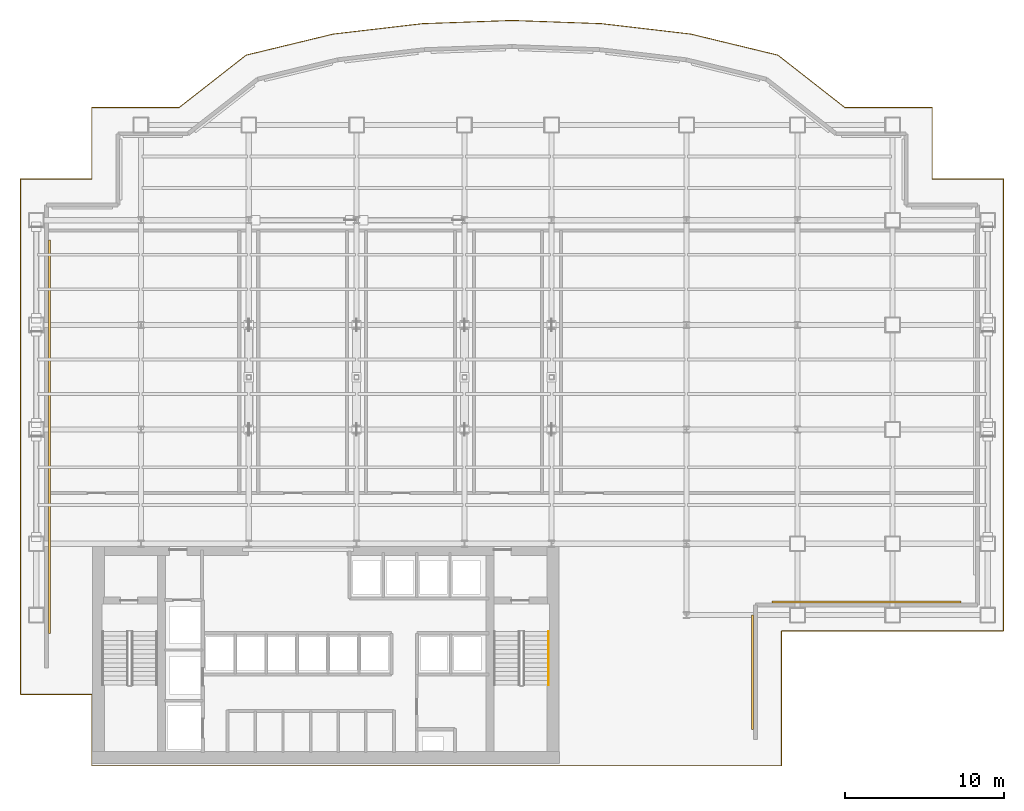
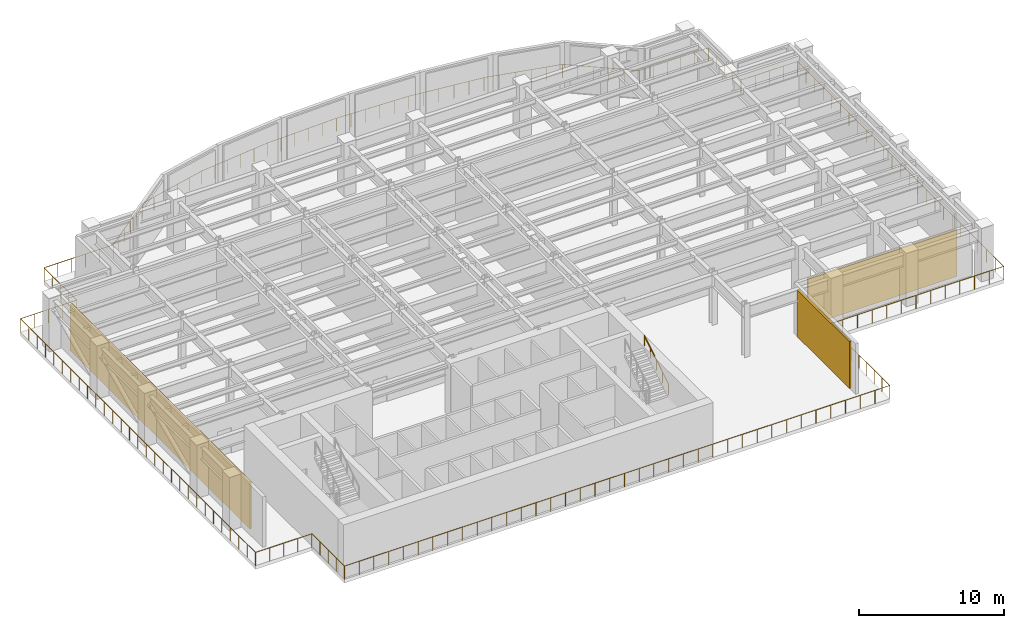
# One storey, part 13 of 14: 3 shading devices, 2 railings.
"""IFC4 building model written with IfcOpenShell, lengths in metres."""

from ifc_helpers import new_model, si_unit, derived_unit, direction, frame, origin, origin_2d, place, context, subcontext, project, spatial, rectangle, circle, extrude, source, transform, mapped, material, type_object, element, save


model = new_model("IFC4")

# Units and contexts
model_context = context("Model", 3, precision=1e-05, world=origin(), true_north=direction((0.0, 1.0)))
body_context = subcontext(model_context, "Body", "Model", "MODEL_VIEW")
ifc_project = project(units=[si_unit("LENGTHUNIT", "METRE"), si_unit("AREAUNIT", "SQUARE_METRE"), si_unit("VOLUMEUNIT", "CUBIC_METRE"), si_unit("PLANEANGLEUNIT", "RADIAN"), si_unit("MASSUNIT", "GRAM", prefix="KILO"), derived_unit("THERMALTRANSMITTANCEUNIT", [(si_unit("POWERUNIT", "WATT"), 1), (si_unit("LENGTHUNIT", "METRE"), -2), (si_unit("THERMODYNAMICTEMPERATUREUNIT", "KELVIN"), -1)])], contexts=[model_context])

# Site, building, storey
site_placement = place(None, origin())
site = spatial("IfcSite", under=ifc_project, at=site_placement, CompositionType="ELEMENT")
building_placement = place(site_placement, origin())
building = spatial("IfcBuilding", under=site, at=building_placement, Name="Skarnbrae Concourse Arena and Tower", CompositionType="ELEMENT")
storey_placement = place(building_placement, frame((0.0, 0.0, 84.14990234375)))
storey = spatial("IfcBuildingStorey", under=building, at=storey_placement, Name="L20", CompositionType="ELEMENT", Elevation=84.14990234375)

# Railings
ifc_material_1 = material(Name="Steel CSA G40.21 350W", Category="steel")
railing_type_1 = type_object("IfcRailingType", Name="RAIL-GUARD-1150", PredefinedType="GUARDRAIL", material=ifc_material_1)
railing_1_placement = place(storey_placement, frame((4.5, 0.0, 0.0)))
element("IfcRailing", 1, at=railing_1_placement, inside=storey, type_object=railing_type_1, Name="L20 Open refuge band perimeter guardrail", PredefinedType="GUARDRAIL", context=body_context, shape_type="SweptSolid", body=[
    extrude(circle(Radius=0.02392578125, at=origin_2d()), frame((0.0, 0.0, 1.1259765625), z_axis=(1.0, 0.0, 0.0), x_axis=(0.0, 1.0, 0.0)), (0.0, 0.0, 1.0), 43.5),
    extrude(circle(Radius=0.02392578125, at=origin_2d()), frame((43.5, 0.0, 1.1259765625), z_axis=(0.0, 1.0, 0.0), x_axis=(-1.0, 0.0, 0.0)), (0.0, 0.0, 1.0), 8.5),
    extrude(circle(Radius=0.02392578125, at=origin_2d()), frame((43.5, 8.5, 1.1259765625), z_axis=(1.0, 0.0, 0.0), x_axis=(0.0, 1.0, 0.0)), (0.0, 0.0, 1.0), 14.0),
    extrude(circle(Radius=0.02392578125, at=origin_2d()), frame((57.5, 8.5, 1.1259765625), z_axis=(0.0, 1.0, 0.0), x_axis=(-1.0, 0.0, 0.0)), (0.0, 0.0, 1.0), 28.5),
    extrude(circle(Radius=0.02392578125, at=origin_2d()), frame((57.5, 37.0, 1.1259765625), z_axis=(-1.0, 0.0, 0.0), x_axis=(0.0, -1.0, 0.0)), (0.0, 0.0, 1.0), 4.5),
    extrude(circle(Radius=0.02392578125, at=origin_2d()), frame((53.0, 37.0, 1.1259765625), z_axis=(0.0, 1.0, 0.0), x_axis=(-1.0, 0.0, 0.0)), (0.0, 0.0, 1.0), 4.5),
    extrude(circle(Radius=0.02392578125, at=origin_2d()), frame((53.0, 41.5, 1.1259765625), z_axis=(-1.0, 0.0, 0.0), x_axis=(0.0, -1.0, 0.0)), (0.0, 0.0, 1.0), 5.5),
    extrude(circle(Radius=0.02392578125, at=origin_2d()), frame((47.5, 41.5, 1.1259765625), z_axis=(-0.787642042649, 0.61613311277, 0.0), x_axis=(-0.61613311277, -0.787642042649, 0.0)), (0.0, 0.0, 1.0), 5.375),
    extrude(circle(Radius=0.02392578125, at=origin_2d()), frame((43.266357421875, 44.811767578125, 1.1259765625), z_axis=(-0.971981220844, 0.235058516813, 0.0), x_axis=(-0.235058516813, -0.971981220844, 0.0)), (0.0, 0.0, 1.0), 5.65234375),
    extrude(circle(Radius=0.02392578125, at=origin_2d()), frame((37.7724609375, 46.140380859375, 1.1259765625), z_axis=(-0.993243088612, 0.116052431793, 0.0), x_axis=(-0.116052431793, -0.993243088612, 0.0)), (0.0, 0.0, 1.0), 5.656982421875),
    extrude(circle(Radius=0.02392578125, at=origin_2d()), frame((32.15380859375, 46.796875, 1.1259765625), z_axis=(-0.999355245503, 0.035903945257, 0.0), x_axis=(-0.035903945257, -0.999355245503, 0.0)), (0.0, 0.0, 1.0), 5.657470703125),
    extrude(circle(Radius=0.02392578125, at=origin_2d()), frame((26.5, 47.0, 1.1259765625), z_axis=(-0.999355245503, -0.035903945257, 0.0), x_axis=(0.035903945257, -0.999355245503, 0.0)), (0.0, 0.0, 1.0), 5.657470703125),
    extrude(circle(Radius=0.02392578125, at=origin_2d()), frame((20.84619140625, 46.796875, 1.1259765625), z_axis=(-0.993243088612, -0.116052431793, 0.0), x_axis=(0.116052431793, -0.993243088612, 0.0)), (0.0, 0.0, 1.0), 5.656982421875),
    extrude(circle(Radius=0.02392578125, at=origin_2d()), frame((15.2275390625, 46.140380859375, 1.1259765625), z_axis=(-0.971981220844, -0.235058516813, 0.0), x_axis=(0.235058516813, -0.971981220844, 0.0)), (0.0, 0.0, 1.0), 5.65234375),
    extrude(circle(Radius=0.02392578125, at=origin_2d()), frame((9.733642578125, 44.811767578125, 1.1259765625), z_axis=(-0.787642042649, -0.61613311277, 0.0), x_axis=(0.61613311277, -0.787642042649, 0.0)), (0.0, 0.0, 1.0), 5.375),
    extrude(circle(Radius=0.02392578125, at=origin_2d()), frame((5.5, 41.5, 1.1259765625), z_axis=(-1.0, 0.0, 0.0), x_axis=(0.0, -1.0, 0.0)), (0.0, 0.0, 1.0), 5.5),
    extrude(circle(Radius=0.02392578125, at=origin_2d()), frame((0.0, 41.5, 1.1259765625), z_axis=(0.0, -1.0, 0.0), x_axis=(1.0, 0.0, 0.0)), (0.0, 0.0, 1.0), 4.5),
    extrude(circle(Radius=0.02392578125, at=origin_2d()), frame((0.0, 37.0, 1.1259765625), z_axis=(-1.0, 0.0, 0.0), x_axis=(0.0, -1.0, 0.0)), (0.0, 0.0, 1.0), 4.5),
    extrude(circle(Radius=0.02392578125, at=origin_2d()), frame((-4.5, 37.0, 1.1259765625), z_axis=(0.0, -1.0, 0.0), x_axis=(1.0, 0.0, 0.0)), (0.0, 0.0, 1.0), 32.5),
    extrude(circle(Radius=0.02392578125, at=origin_2d()), frame((-4.5, 4.5, 1.1259765625), z_axis=(1.0, 0.0, 0.0), x_axis=(0.0, 1.0, 0.0)), (0.0, 0.0, 1.0), 4.5),
    extrude(circle(Radius=0.02392578125, at=origin_2d()), frame((0.0, 4.5, 1.1259765625), z_axis=(0.0, -1.0, 0.0), x_axis=(1.0, 0.0, 0.0)), (0.0, 0.0, 1.0), 4.5),
    extrude(circle(Radius=0.02099609375, at=origin_2d()), origin(), (0.0, 0.0, 1.0), 1.101806640625),
    extrude(circle(Radius=0.02099609375, at=origin_2d()), frame((1.17578125, 0.0, 0.0)), (0.0, 0.0, 1.0), 1.101806640625),
    extrude(circle(Radius=0.02099609375, at=origin_2d()), frame((2.351318359375, 0.0, 0.0)), (0.0, 0.0, 1.0), 1.101806640625),
    extrude(circle(Radius=0.02099609375, at=origin_2d()), frame((3.527099609375, 0.0, 0.0)), (0.0, 0.0, 1.0), 1.101806640625),
    extrude(circle(Radius=0.02099609375, at=origin_2d()), frame((4.70263671875, 0.0, 0.0)), (0.0, 0.0, 1.0), 1.101806640625),
    extrude(circle(Radius=0.02099609375, at=origin_2d()), frame((5.87841796875, 0.0, 0.0)), (0.0, 0.0, 1.0), 1.101806640625),
    extrude(circle(Radius=0.02099609375, at=origin_2d()), frame((7.053955078125, 0.0, 0.0)), (0.0, 0.0, 1.0), 1.101806640625),
    extrude(circle(Radius=0.02099609375, at=origin_2d()), frame((8.229736328125, 0.0, 0.0)), (0.0, 0.0, 1.0), 1.101806640625),
    extrude(circle(Radius=0.02099609375, at=origin_2d()), frame((9.405517578125, 0.0, 0.0)), (0.0, 0.0, 1.0), 1.101806640625),
    extrude(circle(Radius=0.02099609375, at=origin_2d()), frame((10.5810546875, 0.0, 0.0)), (0.0, 0.0, 1.0), 1.101806640625),
    extrude(circle(Radius=0.02099609375, at=origin_2d()), frame((11.7568359375, 0.0, 0.0)), (0.0, 0.0, 1.0), 1.101806640625),
    extrude(circle(Radius=0.02099609375, at=origin_2d()), frame((12.932373046875, 0.0, 0.0)), (0.0, 0.0, 1.0), 1.101806640625),
    extrude(circle(Radius=0.02099609375, at=origin_2d()), frame((14.108154296875, 0.0, 0.0)), (0.0, 0.0, 1.0), 1.101806640625),
    extrude(circle(Radius=0.02099609375, at=origin_2d()), frame((15.28369140625, 0.0, 0.0)), (0.0, 0.0, 1.0), 1.101806640625),
    extrude(circle(Radius=0.02099609375, at=origin_2d()), frame((16.45947265625, 0.0, 0.0)), (0.0, 0.0, 1.0), 1.101806640625),
    extrude(circle(Radius=0.02099609375, at=origin_2d()), frame((17.63525390625, 0.0, 0.0)), (0.0, 0.0, 1.0), 1.101806640625),
    extrude(circle(Radius=0.02099609375, at=origin_2d()), frame((18.810791015625, 0.0, 0.0)), (0.0, 0.0, 1.0), 1.101806640625),
    extrude(circle(Radius=0.02099609375, at=origin_2d()), frame((19.986572265625, 0.0, 0.0)), (0.0, 0.0, 1.0), 1.101806640625),
    extrude(circle(Radius=0.02099609375, at=origin_2d()), frame((21.162109375, 0.0, 0.0)), (0.0, 0.0, 1.0), 1.101806640625),
    extrude(circle(Radius=0.02099609375, at=origin_2d()), frame((22.337890625, 0.0, 0.0)), (0.0, 0.0, 1.0), 1.101806640625),
    extrude(circle(Radius=0.02099609375, at=origin_2d()), frame((23.513427734375, 0.0, 0.0)), (0.0, 0.0, 1.0), 1.101806640625),
    extrude(circle(Radius=0.02099609375, at=origin_2d()), frame((24.689208984375, 0.0, 0.0)), (0.0, 0.0, 1.0), 1.101806640625),
    extrude(circle(Radius=0.02099609375, at=origin_2d()), frame((25.86474609375, 0.0, 0.0)), (0.0, 0.0, 1.0), 1.101806640625),
    extrude(circle(Radius=0.02099609375, at=origin_2d()), frame((27.04052734375, 0.0, 0.0)), (0.0, 0.0, 1.0), 1.101806640625),
    extrude(circle(Radius=0.02099609375, at=origin_2d()), frame((28.21630859375, 0.0, 0.0)), (0.0, 0.0, 1.0), 1.101806640625),
    extrude(circle(Radius=0.02099609375, at=origin_2d()), frame((29.391845703125, 0.0, 0.0)), (0.0, 0.0, 1.0), 1.101806640625),
    extrude(circle(Radius=0.02099609375, at=origin_2d()), frame((30.567626953125, 0.0, 0.0)), (0.0, 0.0, 1.0), 1.101806640625),
    extrude(circle(Radius=0.02099609375, at=origin_2d()), frame((31.7431640625, 0.0, 0.0)), (0.0, 0.0, 1.0), 1.101806640625),
    extrude(circle(Radius=0.02099609375, at=origin_2d()), frame((32.9189453125, 0.0, 0.0)), (0.0, 0.0, 1.0), 1.101806640625),
    extrude(circle(Radius=0.02099609375, at=origin_2d()), frame((34.094482421875, 0.0, 0.0)), (0.0, 0.0, 1.0), 1.101806640625),
    extrude(circle(Radius=0.02099609375, at=origin_2d()), frame((35.270263671875, 0.0, 0.0)), (0.0, 0.0, 1.0), 1.101806640625),
    extrude(circle(Radius=0.02099609375, at=origin_2d()), frame((36.446044921875, 0.0, 0.0)), (0.0, 0.0, 1.0), 1.101806640625),
    extrude(circle(Radius=0.02099609375, at=origin_2d()), frame((37.62158203125, 0.0, 0.0)), (0.0, 0.0, 1.0), 1.101806640625),
    extrude(circle(Radius=0.02099609375, at=origin_2d()), frame((38.79736328125, 0.0, 0.0)), (0.0, 0.0, 1.0), 1.101806640625),
    extrude(circle(Radius=0.02099609375, at=origin_2d()), frame((39.972900390625, 0.0, 0.0)), (0.0, 0.0, 1.0), 1.101806640625),
    extrude(circle(Radius=0.02099609375, at=origin_2d()), frame((41.148681640625, 0.0, 0.0)), (0.0, 0.0, 1.0), 1.101806640625),
    extrude(circle(Radius=0.02099609375, at=origin_2d()), frame((42.32421875, 0.0, 0.0)), (0.0, 0.0, 1.0), 1.101806640625),
    extrude(circle(Radius=0.02099609375, at=origin_2d()), frame((43.5, 0.0, 0.0)), (0.0, 0.0, 1.0), 1.101806640625),
    extrude(circle(Radius=0.02099609375, at=origin_2d()), frame((43.5, 1.0625, 0.0)), (0.0, 0.0, 1.0), 1.101806640625),
    extrude(circle(Radius=0.02099609375, at=origin_2d()), frame((43.5, 2.125, 0.0)), (0.0, 0.0, 1.0), 1.101806640625),
    extrude(circle(Radius=0.02099609375, at=origin_2d()), frame((43.5, 3.1875, 0.0)), (0.0, 0.0, 1.0), 1.101806640625),
    extrude(circle(Radius=0.02099609375, at=origin_2d()), frame((43.5, 4.25, 0.0)), (0.0, 0.0, 1.0), 1.101806640625),
    extrude(circle(Radius=0.02099609375, at=origin_2d()), frame((43.5, 5.3125, 0.0)), (0.0, 0.0, 1.0), 1.101806640625),
    extrude(circle(Radius=0.02099609375, at=origin_2d()), frame((43.5, 6.375, 0.0)), (0.0, 0.0, 1.0), 1.101806640625),
    extrude(circle(Radius=0.02099609375, at=origin_2d()), frame((43.5, 7.4375, 0.0)), (0.0, 0.0, 1.0), 1.101806640625),
    extrude(circle(Radius=0.02099609375, at=origin_2d()), frame((43.5, 8.5, 0.0)), (0.0, 0.0, 1.0), 1.101806640625),
    extrude(circle(Radius=0.02099609375, at=origin_2d()), frame((44.666748046875, 8.5, 0.0)), (0.0, 0.0, 1.0), 1.101806640625),
    extrude(circle(Radius=0.02099609375, at=origin_2d()), frame((45.833251953125, 8.5, 0.0)), (0.0, 0.0, 1.0), 1.101806640625),
    extrude(circle(Radius=0.02099609375, at=origin_2d()), frame((47.0, 8.5, 0.0)), (0.0, 0.0, 1.0), 1.101806640625),
    extrude(circle(Radius=0.02099609375, at=origin_2d()), frame((48.166748046875, 8.5, 0.0)), (0.0, 0.0, 1.0), 1.101806640625),
    extrude(circle(Radius=0.02099609375, at=origin_2d()), frame((49.333251953125, 8.5, 0.0)), (0.0, 0.0, 1.0), 1.101806640625),
    extrude(circle(Radius=0.02099609375, at=origin_2d()), frame((50.5, 8.5, 0.0)), (0.0, 0.0, 1.0), 1.101806640625),
    extrude(circle(Radius=0.02099609375, at=origin_2d()), frame((51.666748046875, 8.5, 0.0)), (0.0, 0.0, 1.0), 1.101806640625),
    extrude(circle(Radius=0.02099609375, at=origin_2d()), frame((52.833251953125, 8.5, 0.0)), (0.0, 0.0, 1.0), 1.101806640625),
    extrude(circle(Radius=0.02099609375, at=origin_2d()), frame((54.0, 8.5, 0.0)), (0.0, 0.0, 1.0), 1.101806640625),
    extrude(circle(Radius=0.02099609375, at=origin_2d()), frame((55.166748046875, 8.5, 0.0)), (0.0, 0.0, 1.0), 1.101806640625),
    extrude(circle(Radius=0.02099609375, at=origin_2d()), frame((56.333251953125, 8.5, 0.0)), (0.0, 0.0, 1.0), 1.101806640625),
    extrude(circle(Radius=0.02099609375, at=origin_2d()), frame((57.5, 8.5, 0.0)), (0.0, 0.0, 1.0), 1.101806640625),
    extrude(circle(Radius=0.02099609375, at=origin_2d()), frame((57.5, 9.6875, 0.0)), (0.0, 0.0, 1.0), 1.101806640625),
    extrude(circle(Radius=0.02099609375, at=origin_2d()), frame((57.5, 10.875, 0.0)), (0.0, 0.0, 1.0), 1.101806640625),
    extrude(circle(Radius=0.02099609375, at=origin_2d()), frame((57.5, 12.0625, 0.0)), (0.0, 0.0, 1.0), 1.101806640625),
    extrude(circle(Radius=0.02099609375, at=origin_2d()), frame((57.5, 13.25, 0.0)), (0.0, 0.0, 1.0), 1.101806640625),
    extrude(circle(Radius=0.02099609375, at=origin_2d()), frame((57.5, 14.4375, 0.0)), (0.0, 0.0, 1.0), 1.101806640625),
    extrude(circle(Radius=0.02099609375, at=origin_2d()), frame((57.5, 15.625, 0.0)), (0.0, 0.0, 1.0), 1.101806640625),
    extrude(circle(Radius=0.02099609375, at=origin_2d()), frame((57.5, 16.8125, 0.0)), (0.0, 0.0, 1.0), 1.101806640625),
    extrude(circle(Radius=0.02099609375, at=origin_2d()), frame((57.5, 18.0, 0.0)), (0.0, 0.0, 1.0), 1.101806640625),
    extrude(circle(Radius=0.02099609375, at=origin_2d()), frame((57.5, 19.1875, 0.0)), (0.0, 0.0, 1.0), 1.101806640625),
    extrude(circle(Radius=0.02099609375, at=origin_2d()), frame((57.5, 20.375, 0.0)), (0.0, 0.0, 1.0), 1.101806640625),
    extrude(circle(Radius=0.02099609375, at=origin_2d()), frame((57.5, 21.5625, 0.0)), (0.0, 0.0, 1.0), 1.101806640625),
    extrude(circle(Radius=0.02099609375, at=origin_2d()), frame((57.5, 22.75, 0.0)), (0.0, 0.0, 1.0), 1.101806640625),
    extrude(circle(Radius=0.02099609375, at=origin_2d()), frame((57.5, 23.9375, 0.0)), (0.0, 0.0, 1.0), 1.101806640625),
    extrude(circle(Radius=0.02099609375, at=origin_2d()), frame((57.5, 25.125, 0.0)), (0.0, 0.0, 1.0), 1.101806640625),
    extrude(circle(Radius=0.02099609375, at=origin_2d()), frame((57.5, 26.3125, 0.0)), (0.0, 0.0, 1.0), 1.101806640625),
    extrude(circle(Radius=0.02099609375, at=origin_2d()), frame((57.5, 27.5, 0.0)), (0.0, 0.0, 1.0), 1.101806640625),
    extrude(circle(Radius=0.02099609375, at=origin_2d()), frame((57.5, 28.6875, 0.0)), (0.0, 0.0, 1.0), 1.101806640625),
    extrude(circle(Radius=0.02099609375, at=origin_2d()), frame((57.5, 29.875, 0.0)), (0.0, 0.0, 1.0), 1.101806640625),
    extrude(circle(Radius=0.02099609375, at=origin_2d()), frame((57.5, 31.0625, 0.0)), (0.0, 0.0, 1.0), 1.101806640625),
    extrude(circle(Radius=0.02099609375, at=origin_2d()), frame((57.5, 32.25, 0.0)), (0.0, 0.0, 1.0), 1.101806640625),
    extrude(circle(Radius=0.02099609375, at=origin_2d()), frame((57.5, 33.4375, 0.0)), (0.0, 0.0, 1.0), 1.101806640625),
    extrude(circle(Radius=0.02099609375, at=origin_2d()), frame((57.5, 34.625, 0.0)), (0.0, 0.0, 1.0), 1.101806640625),
    extrude(circle(Radius=0.02099609375, at=origin_2d()), frame((57.5, 35.8125, 0.0)), (0.0, 0.0, 1.0), 1.101806640625),
    extrude(circle(Radius=0.02099609375, at=origin_2d()), frame((57.5, 37.0, 0.0)), (0.0, 0.0, 1.0), 1.101806640625),
    extrude(circle(Radius=0.02099609375, at=origin_2d()), frame((56.375, 37.0, 0.0)), (0.0, 0.0, 1.0), 1.101806640625),
    extrude(circle(Radius=0.02099609375, at=origin_2d()), frame((55.25, 37.0, 0.0)), (0.0, 0.0, 1.0), 1.101806640625),
    extrude(circle(Radius=0.02099609375, at=origin_2d()), frame((54.125, 37.0, 0.0)), (0.0, 0.0, 1.0), 1.101806640625),
    extrude(circle(Radius=0.02099609375, at=origin_2d()), frame((53.0, 37.0, 0.0)), (0.0, 0.0, 1.0), 1.101806640625),
    extrude(circle(Radius=0.02099609375, at=origin_2d()), frame((53.0, 38.125, 0.0)), (0.0, 0.0, 1.0), 1.101806640625),
    extrude(circle(Radius=0.02099609375, at=origin_2d()), frame((53.0, 39.25, 0.0)), (0.0, 0.0, 1.0), 1.101806640625),
    extrude(circle(Radius=0.02099609375, at=origin_2d()), frame((53.0, 40.375, 0.0)), (0.0, 0.0, 1.0), 1.101806640625),
    extrude(circle(Radius=0.02099609375, at=origin_2d()), frame((53.0, 41.5, 0.0)), (0.0, 0.0, 1.0), 1.101806640625),
    extrude(circle(Radius=0.02099609375, at=origin_2d()), frame((51.89990234375, 41.5, 0.0)), (0.0, 0.0, 1.0), 1.101806640625),
    extrude(circle(Radius=0.02099609375, at=origin_2d()), frame((50.800048828125, 41.5, 0.0)), (0.0, 0.0, 1.0), 1.101806640625),
    extrude(circle(Radius=0.02099609375, at=origin_2d()), frame((49.699951171875, 41.5, 0.0)), (0.0, 0.0, 1.0), 1.101806640625),
    extrude(circle(Radius=0.02099609375, at=origin_2d()), frame((48.60009765625, 41.5, 0.0)), (0.0, 0.0, 1.0), 1.101806640625),
    extrude(circle(Radius=0.02099609375, at=origin_2d()), frame((47.5, 41.5, 0.0)), (0.0, 0.0, 1.0), 1.101806640625),
    extrude(circle(Radius=0.02099609375, at=origin_2d()), frame((46.6533203125, 42.162353515625, 0.0)), (0.0, 0.0, 1.0), 1.101806640625),
    extrude(circle(Radius=0.02099609375, at=origin_2d()), frame((45.806640625, 42.82470703125, 0.0)), (0.0, 0.0, 1.0), 1.101806640625),
    extrude(circle(Radius=0.02099609375, at=origin_2d()), frame((44.959716796875, 43.487060546875, 0.0)), (0.0, 0.0, 1.0), 1.101806640625),
    extrude(circle(Radius=0.02099609375, at=origin_2d()), frame((44.113037109375, 44.1494140625, 0.0)), (0.0, 0.0, 1.0), 1.101806640625),
    extrude(circle(Radius=0.02099609375, at=origin_2d()), frame((43.266357421875, 44.811767578125, 0.0)), (0.0, 0.0, 1.0), 1.101806640625),
    extrude(circle(Radius=0.02099609375, at=origin_2d()), frame((42.16748046875, 45.077392578125, 0.0)), (0.0, 0.0, 1.0), 1.101806640625),
    extrude(circle(Radius=0.02099609375, at=origin_2d()), frame((41.06884765625, 45.34326171875, 0.0)), (0.0, 0.0, 1.0), 1.101806640625),
    extrude(circle(Radius=0.02099609375, at=origin_2d()), frame((39.969970703125, 45.60888671875, 0.0)), (0.0, 0.0, 1.0), 1.101806640625),
    extrude(circle(Radius=0.02099609375, at=origin_2d()), frame((38.871337890625, 45.874755859375, 0.0)), (0.0, 0.0, 1.0), 1.101806640625),
    extrude(circle(Radius=0.02099609375, at=origin_2d()), frame((37.7724609375, 46.140380859375, 0.0)), (0.0, 0.0, 1.0), 1.101806640625),
    extrude(circle(Radius=0.02099609375, at=origin_2d()), frame((36.648681640625, 46.271728515625, 0.0)), (0.0, 0.0, 1.0), 1.101806640625),
    extrude(circle(Radius=0.02099609375, at=origin_2d()), frame((35.52490234375, 46.403076171875, 0.0)), (0.0, 0.0, 1.0), 1.101806640625),
    extrude(circle(Radius=0.02099609375, at=origin_2d()), frame((34.4013671875, 46.5341796875, 0.0)), (0.0, 0.0, 1.0), 1.101806640625),
    extrude(circle(Radius=0.02099609375, at=origin_2d()), frame((33.277587890625, 46.66552734375, 0.0)), (0.0, 0.0, 1.0), 1.101806640625),
    extrude(circle(Radius=0.02099609375, at=origin_2d()), frame((32.15380859375, 46.796875, 0.0)), (0.0, 0.0, 1.0), 1.101806640625),
    extrude(circle(Radius=0.02099609375, at=origin_2d()), frame((31.02294921875, 46.83740234375, 0.0)), (0.0, 0.0, 1.0), 1.101806640625),
    extrude(circle(Radius=0.02099609375, at=origin_2d()), frame((29.892333984375, 46.878173828125, 0.0)), (0.0, 0.0, 1.0), 1.101806640625),
    extrude(circle(Radius=0.02099609375, at=origin_2d()), frame((28.761474609375, 46.918701171875, 0.0)), (0.0, 0.0, 1.0), 1.101806640625),
    extrude(circle(Radius=0.02099609375, at=origin_2d()), frame((27.630859375, 46.95947265625, 0.0)), (0.0, 0.0, 1.0), 1.101806640625),
    extrude(circle(Radius=0.02099609375, at=origin_2d()), frame((26.5, 47.0, 0.0)), (0.0, 0.0, 1.0), 1.101806640625),
    extrude(circle(Radius=0.02099609375, at=origin_2d()), frame((25.369140625, 46.95947265625, 0.0)), (0.0, 0.0, 1.0), 1.101806640625),
    extrude(circle(Radius=0.02099609375, at=origin_2d()), frame((24.238525390625, 46.918701171875, 0.0)), (0.0, 0.0, 1.0), 1.101806640625),
    extrude(circle(Radius=0.02099609375, at=origin_2d()), frame((23.107666015625, 46.878173828125, 0.0)), (0.0, 0.0, 1.0), 1.101806640625),
    extrude(circle(Radius=0.02099609375, at=origin_2d()), frame((21.97705078125, 46.83740234375, 0.0)), (0.0, 0.0, 1.0), 1.101806640625),
    extrude(circle(Radius=0.02099609375, at=origin_2d()), frame((20.84619140625, 46.796875, 0.0)), (0.0, 0.0, 1.0), 1.101806640625),
    extrude(circle(Radius=0.02099609375, at=origin_2d()), frame((19.722412109375, 46.66552734375, 0.0)), (0.0, 0.0, 1.0), 1.101806640625),
    extrude(circle(Radius=0.02099609375, at=origin_2d()), frame((18.5986328125, 46.5341796875, 0.0)), (0.0, 0.0, 1.0), 1.101806640625),
    extrude(circle(Radius=0.02099609375, at=origin_2d()), frame((17.47509765625, 46.403076171875, 0.0)), (0.0, 0.0, 1.0), 1.101806640625),
    extrude(circle(Radius=0.02099609375, at=origin_2d()), frame((16.351318359375, 46.271728515625, 0.0)), (0.0, 0.0, 1.0), 1.101806640625),
    extrude(circle(Radius=0.02099609375, at=origin_2d()), frame((15.2275390625, 46.140380859375, 0.0)), (0.0, 0.0, 1.0), 1.101806640625),
    extrude(circle(Radius=0.02099609375, at=origin_2d()), frame((14.128662109375, 45.874755859375, 0.0)), (0.0, 0.0, 1.0), 1.101806640625),
    extrude(circle(Radius=0.02099609375, at=origin_2d()), frame((13.030029296875, 45.60888671875, 0.0)), (0.0, 0.0, 1.0), 1.101806640625),
    extrude(circle(Radius=0.02099609375, at=origin_2d()), frame((11.93115234375, 45.34326171875, 0.0)), (0.0, 0.0, 1.0), 1.101806640625),
    extrude(circle(Radius=0.02099609375, at=origin_2d()), frame((10.83251953125, 45.077392578125, 0.0)), (0.0, 0.0, 1.0), 1.101806640625),
    extrude(circle(Radius=0.02099609375, at=origin_2d()), frame((9.733642578125, 44.811767578125, 0.0)), (0.0, 0.0, 1.0), 1.101806640625),
    extrude(circle(Radius=0.02099609375, at=origin_2d()), frame((8.886962890625, 44.1494140625, 0.0)), (0.0, 0.0, 1.0), 1.101806640625),
    extrude(circle(Radius=0.02099609375, at=origin_2d()), frame((8.040283203125, 43.487060546875, 0.0)), (0.0, 0.0, 1.0), 1.101806640625),
    extrude(circle(Radius=0.02099609375, at=origin_2d()), frame((7.193359375, 42.82470703125, 0.0)), (0.0, 0.0, 1.0), 1.101806640625),
    extrude(circle(Radius=0.02099609375, at=origin_2d()), frame((6.3466796875, 42.162353515625, 0.0)), (0.0, 0.0, 1.0), 1.101806640625),
    extrude(circle(Radius=0.02099609375, at=origin_2d()), frame((5.5, 41.5, 0.0)), (0.0, 0.0, 1.0), 1.101806640625),
    extrude(circle(Radius=0.02099609375, at=origin_2d()), frame((4.39990234375, 41.5, 0.0)), (0.0, 0.0, 1.0), 1.101806640625),
    extrude(circle(Radius=0.02099609375, at=origin_2d()), frame((3.300048828125, 41.5, 0.0)), (0.0, 0.0, 1.0), 1.101806640625),
    extrude(circle(Radius=0.02099609375, at=origin_2d()), frame((2.199951171875, 41.5, 0.0)), (0.0, 0.0, 1.0), 1.101806640625),
    extrude(circle(Radius=0.02099609375, at=origin_2d()), frame((1.10009765625, 41.5, 0.0)), (0.0, 0.0, 1.0), 1.101806640625),
    extrude(circle(Radius=0.02099609375, at=origin_2d()), frame((0.0, 41.5, 0.0)), (0.0, 0.0, 1.0), 1.101806640625),
    extrude(circle(Radius=0.02099609375, at=origin_2d()), frame((0.0, 40.375, 0.0)), (0.0, 0.0, 1.0), 1.101806640625),
    extrude(circle(Radius=0.02099609375, at=origin_2d()), frame((0.0, 39.25, 0.0)), (0.0, 0.0, 1.0), 1.101806640625),
    extrude(circle(Radius=0.02099609375, at=origin_2d()), frame((0.0, 38.125, 0.0)), (0.0, 0.0, 1.0), 1.101806640625),
    extrude(circle(Radius=0.02099609375, at=origin_2d()), frame((0.0, 37.0, 0.0)), (0.0, 0.0, 1.0), 1.101806640625),
    extrude(circle(Radius=0.02099609375, at=origin_2d()), frame((-1.125, 37.0, 0.0)), (0.0, 0.0, 1.0), 1.101806640625),
    extrude(circle(Radius=0.02099609375, at=origin_2d()), frame((-2.25, 37.0, 0.0)), (0.0, 0.0, 1.0), 1.101806640625),
    extrude(circle(Radius=0.02099609375, at=origin_2d()), frame((-3.375, 37.0, 0.0)), (0.0, 0.0, 1.0), 1.101806640625),
    extrude(circle(Radius=0.02099609375, at=origin_2d()), frame((-4.5, 37.0, 0.0)), (0.0, 0.0, 1.0), 1.101806640625),
    extrude(circle(Radius=0.02099609375, at=origin_2d()), frame((-4.5, 35.83935546875, 0.0)), (0.0, 0.0, 1.0), 1.101806640625),
    extrude(circle(Radius=0.02099609375, at=origin_2d()), frame((-4.5, 34.678466796875, 0.0)), (0.0, 0.0, 1.0), 1.101806640625),
    extrude(circle(Radius=0.02099609375, at=origin_2d()), frame((-4.5, 33.517822265625, 0.0)), (0.0, 0.0, 1.0), 1.101806640625),
    extrude(circle(Radius=0.02099609375, at=origin_2d()), frame((-4.5, 32.357177734375, 0.0)), (0.0, 0.0, 1.0), 1.101806640625),
    extrude(circle(Radius=0.02099609375, at=origin_2d()), frame((-4.5, 31.196533203125, 0.0)), (0.0, 0.0, 1.0), 1.101806640625),
    extrude(circle(Radius=0.02099609375, at=origin_2d()), frame((-4.5, 30.03564453125, 0.0)), (0.0, 0.0, 1.0), 1.101806640625),
    extrude(circle(Radius=0.02099609375, at=origin_2d()), frame((-4.5, 28.875, 0.0)), (0.0, 0.0, 1.0), 1.101806640625),
    extrude(circle(Radius=0.02099609375, at=origin_2d()), frame((-4.5, 27.71435546875, 0.0)), (0.0, 0.0, 1.0), 1.101806640625),
    extrude(circle(Radius=0.02099609375, at=origin_2d()), frame((-4.5, 26.553466796875, 0.0)), (0.0, 0.0, 1.0), 1.101806640625),
    extrude(circle(Radius=0.02099609375, at=origin_2d()), frame((-4.5, 25.392822265625, 0.0)), (0.0, 0.0, 1.0), 1.101806640625),
    extrude(circle(Radius=0.02099609375, at=origin_2d()), frame((-4.5, 24.232177734375, 0.0)), (0.0, 0.0, 1.0), 1.101806640625),
    extrude(circle(Radius=0.02099609375, at=origin_2d()), frame((-4.5, 23.071533203125, 0.0)), (0.0, 0.0, 1.0), 1.101806640625),
    extrude(circle(Radius=0.02099609375, at=origin_2d()), frame((-4.5, 21.91064453125, 0.0)), (0.0, 0.0, 1.0), 1.101806640625),
    extrude(circle(Radius=0.02099609375, at=origin_2d()), frame((-4.5, 20.75, 0.0)), (0.0, 0.0, 1.0), 1.101806640625),
    extrude(circle(Radius=0.02099609375, at=origin_2d()), frame((-4.5, 19.58935546875, 0.0)), (0.0, 0.0, 1.0), 1.101806640625),
    extrude(circle(Radius=0.02099609375, at=origin_2d()), frame((-4.5, 18.428466796875, 0.0)), (0.0, 0.0, 1.0), 1.101806640625),
    extrude(circle(Radius=0.02099609375, at=origin_2d()), frame((-4.5, 17.267822265625, 0.0)), (0.0, 0.0, 1.0), 1.101806640625),
    extrude(circle(Radius=0.02099609375, at=origin_2d()), frame((-4.5, 16.107177734375, 0.0)), (0.0, 0.0, 1.0), 1.101806640625),
    extrude(circle(Radius=0.02099609375, at=origin_2d()), frame((-4.5, 14.946533203125, 0.0)), (0.0, 0.0, 1.0), 1.101806640625),
    extrude(circle(Radius=0.02099609375, at=origin_2d()), frame((-4.5, 13.78564453125, 0.0)), (0.0, 0.0, 1.0), 1.101806640625),
    extrude(circle(Radius=0.02099609375, at=origin_2d()), frame((-4.5, 12.625, 0.0)), (0.0, 0.0, 1.0), 1.101806640625),
    extrude(circle(Radius=0.02099609375, at=origin_2d()), frame((-4.5, 11.46435546875, 0.0)), (0.0, 0.0, 1.0), 1.101806640625),
    extrude(circle(Radius=0.02099609375, at=origin_2d()), frame((-4.5, 10.303466796875, 0.0)), (0.0, 0.0, 1.0), 1.101806640625),
    extrude(circle(Radius=0.02099609375, at=origin_2d()), frame((-4.5, 9.142822265625, 0.0)), (0.0, 0.0, 1.0), 1.101806640625),
    extrude(circle(Radius=0.02099609375, at=origin_2d()), frame((-4.5, 7.982177734375, 0.0)), (0.0, 0.0, 1.0), 1.101806640625),
    extrude(circle(Radius=0.02099609375, at=origin_2d()), frame((-4.5, 6.821533203125, 0.0)), (0.0, 0.0, 1.0), 1.101806640625),
    extrude(circle(Radius=0.02099609375, at=origin_2d()), frame((-4.5, 5.66064453125, 0.0)), (0.0, 0.0, 1.0), 1.101806640625),
    extrude(circle(Radius=0.02099609375, at=origin_2d()), frame((-4.5, 4.5, 0.0)), (0.0, 0.0, 1.0), 1.101806640625),
    extrude(circle(Radius=0.02099609375, at=origin_2d()), frame((-3.375, 4.5, 0.0)), (0.0, 0.0, 1.0), 1.101806640625),
    extrude(circle(Radius=0.02099609375, at=origin_2d()), frame((-2.25, 4.5, 0.0)), (0.0, 0.0, 1.0), 1.101806640625),
    extrude(circle(Radius=0.02099609375, at=origin_2d()), frame((-1.125, 4.5, 0.0)), (0.0, 0.0, 1.0), 1.101806640625),
    extrude(circle(Radius=0.02099609375, at=origin_2d()), frame((0.0, 4.5, 0.0)), (0.0, 0.0, 1.0), 1.101806640625),
    extrude(circle(Radius=0.02099609375, at=origin_2d()), frame((0.0, 3.375, 0.0)), (0.0, 0.0, 1.0), 1.101806640625),
    extrude(circle(Radius=0.02099609375, at=origin_2d()), frame((0.0, 2.25, 0.0)), (0.0, 0.0, 1.0), 1.101806640625),
    extrude(circle(Radius=0.02099609375, at=origin_2d()), frame((0.0, 1.125, 0.0)), (0.0, 0.0, 1.0), 1.101806640625),
])
railing_type_2 = type_object("IfcRailingType", Name="RAIL-HANDRAIL-900", PredefinedType="HANDRAIL", material=ifc_material_1)
railing_2_placement = place(storey_placement, frame((33.300048828125, 5.090087890625, 2.423095703125)))
element("IfcRailing", 2, at=railing_2_placement, inside=storey, type_object=railing_type_2, Name="L20 ST-2 stair handrail 2", PredefinedType="HANDRAIL", context=body_context, shape_type="SweptSolid", body=[
    extrude(circle(Radius=0.02392578125, at=origin_2d()), frame((0.0, 0.0, 0.8759765625), z_axis=(0.0, 0.850606129759, 0.525803396734), x_axis=(-1.0, 0.0, 0.0)), (0.0, 0.0, 1.0), 3.949951171875),
    extrude(circle(Radius=0.02099609375, at=origin_2d()), origin(), (0.0, 0.0, 1.0), 0.851806640625),
    extrude(circle(Radius=0.02099609375, at=origin_2d()), frame((0.0, 0.83984375, 0.519287109375)), (0.0, 0.0, 1.0), 0.851806640625),
    extrude(circle(Radius=0.02099609375, at=origin_2d()), frame((0.0, 1.679931640625, 1.03857421875)), (0.0, 0.0, 1.0), 0.851806640625),
    extrude(circle(Radius=0.02099609375, at=origin_2d()), frame((0.0, 2.52001953125, 1.5576171875)), (0.0, 0.0, 1.0), 0.851806640625),
    extrude(circle(Radius=0.02099609375, at=origin_2d()), frame((0.0, 3.35986328125, 2.076904296875)), (0.0, 0.0, 1.0), 0.851806640625),
])

# Shading devices
ifc_material_2 = material(Name="Bronze anodised aluminium 6063-T6", Category="aluminium")
shading_device_type = type_object("IfcShadingDeviceType", Name="SHD-BRONZE-LOUVRE-150", PredefinedType="USERDEFINED", material=ifc_material_2)
shared_shape_1 = source(origin(), body_context, "Body", "SweptSolid", [
    extrude(rectangle(XDim=24.820068359375, YDim=0.139892578125, at=origin_2d()), origin(), (0.0, 0.0, 1.0), 3.949951171875),
])
shading_device_1_placement = place(storey_placement, frame((1.830078125, 20.75, 0.14990234375), z_axis=(0.0, 0.0, 1.0), x_axis=(0.0, 1.0, 0.0)))
element("IfcShadingDevice", 3, at=shading_device_1_placement, inside=storey, type_object=shading_device_type, Name="L20 Refuge band bronze weather louvre 03", ObjectType="LOUVRE", PredefinedType="USERDEFINED", context=body_context, shape_type="MappedRepresentation", body=[
    mapped(shared_shape_1, transform((0.0, 0.0, 0.0))),
])
shared_shape_2 = source(origin(), body_context, "Body", "SweptSolid", [
    extrude(rectangle(XDim=11.89990234375, YDim=0.139892578125, at=origin_2d()), origin(), (0.0, 0.0, 1.0), 3.949951171875),
])
shading_device_2_placement = place(storey_placement, frame((53.35009765625, 10.330078125, 0.14990234375), z_axis=(0.0, 0.0, 1.0), x_axis=(-1.0, 0.0, 0.0)))
element("IfcShadingDevice", 4, at=shading_device_2_placement, inside=storey, type_object=shading_device_type, Name="L20 Refuge band bronze weather louvre 19", ObjectType="LOUVRE", PredefinedType="USERDEFINED", context=body_context, shape_type="MappedRepresentation", body=[
    mapped(shared_shape_2, transform((0.0, 0.0, 0.0))),
])
shared_shape_3 = source(origin(), body_context, "Body", "SweptSolid", [
    extrude(rectangle(XDim=7.22509765625, YDim=0.139892578125, at=origin_2d()), origin(), (0.0, 0.0, 1.0), 3.949951171875),
])
shading_device_3_placement = place(storey_placement, frame((46.169921875, 5.89990234375, 0.14990234375), z_axis=(0.0, 0.0, 1.0), x_axis=(0.0, -1.0, 0.0)))
element("IfcShadingDevice", 5, at=shading_device_3_placement, inside=storey, type_object=shading_device_type, Name="L20 Refuge band bronze weather louvre 20", ObjectType="LOUVRE", PredefinedType="USERDEFINED", context=body_context, shape_type="MappedRepresentation", body=[
    mapped(shared_shape_3, transform((0.0, 0.0, 0.0))),
])

save(model, "model.ifc")
